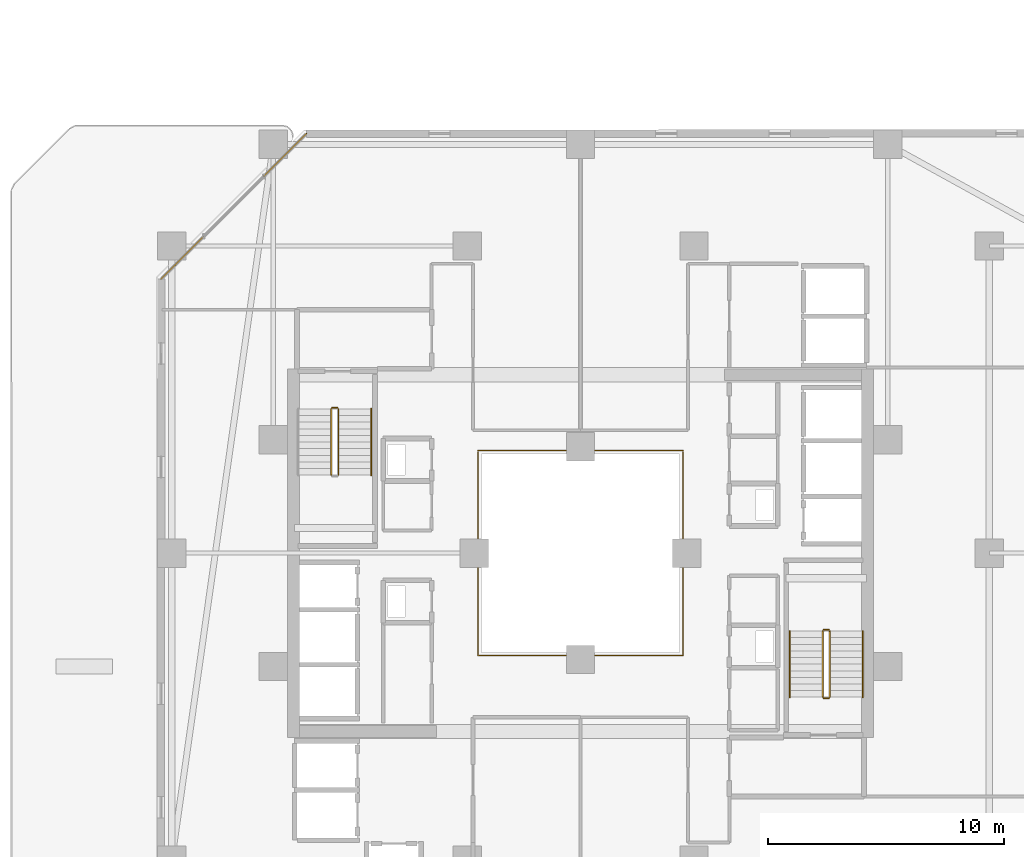
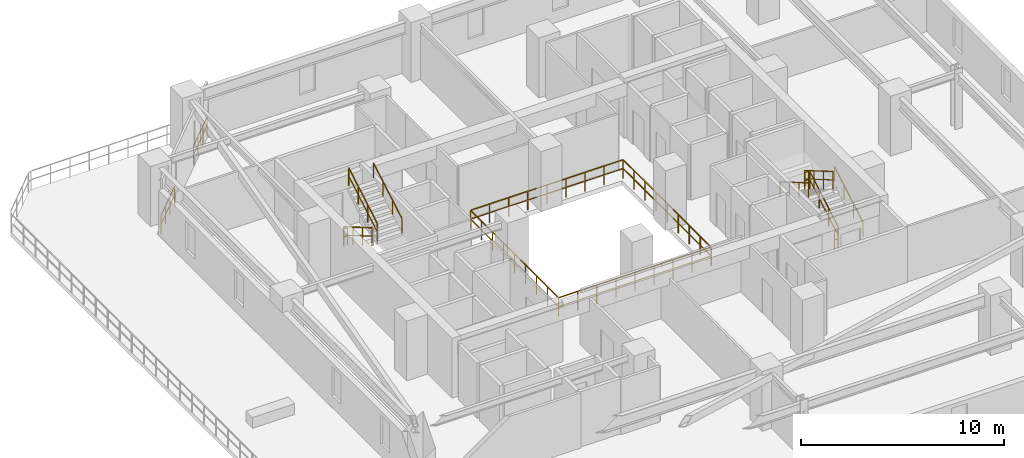
# One storey, part 31 of 31: 13 railings.
"""IFC4 building model written with IfcOpenShell, lengths in metres."""

from ifc_helpers import new_model, si_unit, direction, frame, origin, origin_2d, place, context, subcontext, project, spatial, rectangle, extrude, material, type_object, element, save


model = new_model("IFC4")

# Units and contexts
model_context = context("Model", 3, precision=1e-05, world=origin(), true_north=direction((0.0, 1.0)))
body_context = subcontext(model_context, "Body", "Model", "MODEL_VIEW")
ifc_project = project(units=[si_unit("LENGTHUNIT", "METRE"), si_unit("AREAUNIT", "SQUARE_METRE"), si_unit("VOLUMEUNIT", "CUBIC_METRE"), si_unit("PLANEANGLEUNIT", "RADIAN"), si_unit("MASSUNIT", "GRAM", prefix="KILO")], contexts=[model_context])

# Site, building, storey
site_placement = place(None, origin())
site = spatial("IfcSite", under=ifc_project, at=site_placement, CompositionType="ELEMENT")
building_placement = place(site_placement, origin())
building = spatial("IfcBuilding", under=site, at=building_placement, Name="Thornwick Lancets Civic Towers", CompositionType="ELEMENT")
storey_placement = place(building_placement, frame((0.0, 0.0, 119.699951171875)))
storey = spatial("IfcBuildingStorey", under=building, at=storey_placement, Name="L31", CompositionType="ELEMENT", Elevation=119.699951171875)

# Railings
ifc_material_1 = material(Name="Laminated glass and bronze steel S355", Category="steel")
railing_type_1 = type_object("IfcRailingType", Name="RAIL_ATRIUM_GUARD", PredefinedType="BALUSTRADE", material=ifc_material_1)
railing_1_placement = place(storey_placement, frame((84.159912109375, 22.659912109375, 0.0)))
element("IfcRailing", 1, at=railing_1_placement, inside=storey, type_object=railing_type_1, Name="L31 Tower B Central Atrium Guard Balustrade", PredefinedType="BALUSTRADE", context=body_context, shape_type="SweptSolid", body=[
    extrude(rectangle(XDim=0.048095703125, YDim=0.048095703125, at=origin_2d()), frame((0.0, 0.0, 1.1259765625), z_axis=(1.0, 0.0, 0.0), x_axis=(0.0, 1.0, 0.0)), (0.0, 0.0, 1.0), 8.64892578125),
    extrude(rectangle(XDim=0.0419921875, YDim=0.0419921875, at=origin_2d()), frame((0.03759765625, 0.0, 0.597900390625), z_axis=(1.0, 0.0, 0.0), x_axis=(0.0, 1.0, 0.0)), (0.0, 0.0, 1.0), 1.010009765625),
    extrude(rectangle(XDim=0.0419921875, YDim=0.0419921875, at=origin_2d()), frame((1.12255859375, 0.0, 0.597900390625), z_axis=(1.0, 0.0, 0.0), x_axis=(0.0, 1.0, 0.0)), (0.0, 0.0, 1.0), 1.010009765625),
    extrude(rectangle(XDim=0.0419921875, YDim=0.0419921875, at=origin_2d()), frame((2.20751953125, 0.0, 0.597900390625), z_axis=(1.0, 0.0, 0.0), x_axis=(0.0, 1.0, 0.0)), (0.0, 0.0, 1.0), 1.010009765625),
    extrude(rectangle(XDim=0.0419921875, YDim=0.0419921875, at=origin_2d()), frame((3.29248046875, 0.0, 0.597900390625), z_axis=(1.0, 0.0, 0.0), x_axis=(0.0, 1.0, 0.0)), (0.0, 0.0, 1.0), 1.010009765625),
    extrude(rectangle(XDim=0.0419921875, YDim=0.0419921875, at=origin_2d()), frame((4.377685546875, 0.0, 0.597900390625), z_axis=(1.0, 0.0, 0.0), x_axis=(0.0, 1.0, 0.0)), (0.0, 0.0, 1.0), 1.010009765625),
    extrude(rectangle(XDim=0.0419921875, YDim=0.0419921875, at=origin_2d()), frame((5.462646484375, 0.0, 0.597900390625), z_axis=(1.0, 0.0, 0.0), x_axis=(0.0, 1.0, 0.0)), (0.0, 0.0, 1.0), 1.010009765625),
    extrude(rectangle(XDim=0.0419921875, YDim=0.0419921875, at=origin_2d()), frame((6.547607421875, 0.0, 0.597900390625), z_axis=(1.0, 0.0, 0.0), x_axis=(0.0, 1.0, 0.0)), (0.0, 0.0, 1.0), 1.010009765625),
    extrude(rectangle(XDim=0.0419921875, YDim=0.0419921875, at=origin_2d()), frame((7.632568359375, 0.0, 0.597900390625), z_axis=(1.0, 0.0, 0.0), x_axis=(0.0, 1.0, 0.0)), (0.0, 0.0, 1.0), 1.010009765625),
    extrude(rectangle(XDim=0.048095703125, YDim=0.048095703125, at=origin_2d()), frame((8.68017578125, 0.03125, 1.1259765625), z_axis=(0.0, 1.0, 0.0), x_axis=(-1.0, 0.0, 0.0)), (0.0, 0.0, 1.0), 8.61767578125),
    extrude(rectangle(XDim=0.0419921875, YDim=0.0419921875, at=origin_2d()), frame((8.68017578125, 0.03759765625, 0.597900390625), z_axis=(0.0, 1.0, 0.0), x_axis=(-1.0, 0.0, 0.0)), (0.0, 0.0, 1.0), 1.010009765625),
    extrude(rectangle(XDim=0.0419921875, YDim=0.0419921875, at=origin_2d()), frame((8.68017578125, 1.12255859375, 0.597900390625), z_axis=(0.0, 1.0, 0.0), x_axis=(-1.0, 0.0, 0.0)), (0.0, 0.0, 1.0), 1.010009765625),
    extrude(rectangle(XDim=0.0419921875, YDim=0.0419921875, at=origin_2d()), frame((8.68017578125, 2.20751953125, 0.597900390625), z_axis=(0.0, 1.0, 0.0), x_axis=(-1.0, 0.0, 0.0)), (0.0, 0.0, 1.0), 1.010009765625),
    extrude(rectangle(XDim=0.0419921875, YDim=0.0419921875, at=origin_2d()), frame((8.68017578125, 3.29248046875, 0.597900390625), z_axis=(0.0, 1.0, 0.0), x_axis=(-1.0, 0.0, 0.0)), (0.0, 0.0, 1.0), 1.010009765625),
    extrude(rectangle(XDim=0.0419921875, YDim=0.0419921875, at=origin_2d()), frame((8.68017578125, 4.377685546875, 0.597900390625), z_axis=(0.0, 1.0, 0.0), x_axis=(-1.0, 0.0, 0.0)), (0.0, 0.0, 1.0), 1.010009765625),
    extrude(rectangle(XDim=0.0419921875, YDim=0.0419921875, at=origin_2d()), frame((8.68017578125, 5.462646484375, 0.597900390625), z_axis=(0.0, 1.0, 0.0), x_axis=(-1.0, 0.0, 0.0)), (0.0, 0.0, 1.0), 1.010009765625),
    extrude(rectangle(XDim=0.0419921875, YDim=0.0419921875, at=origin_2d()), frame((8.68017578125, 6.547607421875, 0.597900390625), z_axis=(0.0, 1.0, 0.0), x_axis=(-1.0, 0.0, 0.0)), (0.0, 0.0, 1.0), 1.010009765625),
    extrude(rectangle(XDim=0.0419921875, YDim=0.0419921875, at=origin_2d()), frame((8.68017578125, 7.632568359375, 0.597900390625), z_axis=(0.0, 1.0, 0.0), x_axis=(-1.0, 0.0, 0.0)), (0.0, 0.0, 1.0), 1.010009765625),
    extrude(rectangle(XDim=0.048095703125, YDim=0.048095703125, at=origin_2d()), frame((8.64892578125, 8.68017578125, 1.1259765625), z_axis=(-1.0, 0.0, 0.0), x_axis=(0.0, -1.0, 0.0)), (0.0, 0.0, 1.0), 8.61767578125),
    extrude(rectangle(XDim=0.0419921875, YDim=0.0419921875, at=origin_2d()), frame((8.642578125, 8.68017578125, 0.597900390625), z_axis=(-1.0, 0.0, 0.0), x_axis=(0.0, -1.0, 0.0)), (0.0, 0.0, 1.0), 1.010009765625),
    extrude(rectangle(XDim=0.0419921875, YDim=0.0419921875, at=origin_2d()), frame((7.5576171875, 8.68017578125, 0.597900390625), z_axis=(-1.0, 0.0, 0.0), x_axis=(0.0, -1.0, 0.0)), (0.0, 0.0, 1.0), 1.010009765625),
    extrude(rectangle(XDim=0.0419921875, YDim=0.0419921875, at=origin_2d()), frame((6.47265625, 8.68017578125, 0.597900390625), z_axis=(-1.0, 0.0, 0.0), x_axis=(0.0, -1.0, 0.0)), (0.0, 0.0, 1.0), 1.010009765625),
    extrude(rectangle(XDim=0.0419921875, YDim=0.0419921875, at=origin_2d()), frame((5.3876953125, 8.68017578125, 0.597900390625), z_axis=(-1.0, 0.0, 0.0), x_axis=(0.0, -1.0, 0.0)), (0.0, 0.0, 1.0), 1.010009765625),
    extrude(rectangle(XDim=0.0419921875, YDim=0.0419921875, at=origin_2d()), frame((4.302490234375, 8.68017578125, 0.597900390625), z_axis=(-1.0, 0.0, 0.0), x_axis=(0.0, -1.0, 0.0)), (0.0, 0.0, 1.0), 1.010009765625),
    extrude(rectangle(XDim=0.0419921875, YDim=0.0419921875, at=origin_2d()), frame((3.217529296875, 8.68017578125, 0.597900390625), z_axis=(-1.0, 0.0, 0.0), x_axis=(0.0, -1.0, 0.0)), (0.0, 0.0, 1.0), 1.010009765625),
    extrude(rectangle(XDim=0.0419921875, YDim=0.0419921875, at=origin_2d()), frame((2.132568359375, 8.68017578125, 0.597900390625), z_axis=(-1.0, 0.0, 0.0), x_axis=(0.0, -1.0, 0.0)), (0.0, 0.0, 1.0), 1.010009765625),
    extrude(rectangle(XDim=0.0419921875, YDim=0.0419921875, at=origin_2d()), frame((1.047607421875, 8.68017578125, 0.597900390625), z_axis=(-1.0, 0.0, 0.0), x_axis=(0.0, -1.0, 0.0)), (0.0, 0.0, 1.0), 1.010009765625),
    extrude(rectangle(XDim=0.048095703125, YDim=0.048095703125, at=origin_2d()), frame((0.0, 8.64892578125, 1.1259765625), z_axis=(0.0, -1.0, 0.0), x_axis=(1.0, 0.0, 0.0)), (0.0, 0.0, 1.0), 8.64892578125),
    extrude(rectangle(XDim=0.0419921875, YDim=0.0419921875, at=origin_2d()), frame((0.0, 8.642578125, 0.597900390625), z_axis=(0.0, -1.0, 0.0), x_axis=(1.0, 0.0, 0.0)), (0.0, 0.0, 1.0), 1.010009765625),
    extrude(rectangle(XDim=0.0419921875, YDim=0.0419921875, at=origin_2d()), frame((0.0, 7.5576171875, 0.597900390625), z_axis=(0.0, -1.0, 0.0), x_axis=(1.0, 0.0, 0.0)), (0.0, 0.0, 1.0), 1.010009765625),
    extrude(rectangle(XDim=0.0419921875, YDim=0.0419921875, at=origin_2d()), frame((0.0, 6.47265625, 0.597900390625), z_axis=(0.0, -1.0, 0.0), x_axis=(1.0, 0.0, 0.0)), (0.0, 0.0, 1.0), 1.010009765625),
    extrude(rectangle(XDim=0.0419921875, YDim=0.0419921875, at=origin_2d()), frame((0.0, 5.3876953125, 0.597900390625), z_axis=(0.0, -1.0, 0.0), x_axis=(1.0, 0.0, 0.0)), (0.0, 0.0, 1.0), 1.010009765625),
    extrude(rectangle(XDim=0.0419921875, YDim=0.0419921875, at=origin_2d()), frame((0.0, 4.302490234375, 0.597900390625), z_axis=(0.0, -1.0, 0.0), x_axis=(1.0, 0.0, 0.0)), (0.0, 0.0, 1.0), 1.010009765625),
    extrude(rectangle(XDim=0.0419921875, YDim=0.0419921875, at=origin_2d()), frame((0.0, 3.217529296875, 0.597900390625), z_axis=(0.0, -1.0, 0.0), x_axis=(1.0, 0.0, 0.0)), (0.0, 0.0, 1.0), 1.010009765625),
    extrude(rectangle(XDim=0.0419921875, YDim=0.0419921875, at=origin_2d()), frame((0.0, 2.132568359375, 0.597900390625), z_axis=(0.0, -1.0, 0.0), x_axis=(1.0, 0.0, 0.0)), (0.0, 0.0, 1.0), 1.010009765625),
    extrude(rectangle(XDim=0.0419921875, YDim=0.0419921875, at=origin_2d()), frame((0.0, 1.047607421875, 0.597900390625), z_axis=(0.0, -1.0, 0.0), x_axis=(1.0, 0.0, 0.0)), (0.0, 0.0, 1.0), 1.010009765625),
    extrude(rectangle(XDim=0.0419921875, YDim=0.0419921875, at=origin_2d()), origin(), (0.0, 0.0, 1.0), 1.095703125),
    extrude(rectangle(XDim=0.0419921875, YDim=0.0419921875, at=origin_2d()), frame((1.0849609375, 0.0, 0.0)), (0.0, 0.0, 1.0), 1.095703125),
    extrude(rectangle(XDim=0.0419921875, YDim=0.0419921875, at=origin_2d()), frame((2.169921875, 0.0, 0.0)), (0.0, 0.0, 1.0), 1.095703125),
    extrude(rectangle(XDim=0.0419921875, YDim=0.0419921875, at=origin_2d()), frame((3.255126953125, 0.0, 0.0)), (0.0, 0.0, 1.0), 1.095703125),
    extrude(rectangle(XDim=0.0419921875, YDim=0.0419921875, at=origin_2d()), frame((4.340087890625, 0.0, 0.0)), (0.0, 0.0, 1.0), 1.095703125),
    extrude(rectangle(XDim=0.0419921875, YDim=0.0419921875, at=origin_2d()), frame((5.425048828125, 0.0, 0.0)), (0.0, 0.0, 1.0), 1.095703125),
    extrude(rectangle(XDim=0.0419921875, YDim=0.0419921875, at=origin_2d()), frame((6.51025390625, 0.0, 0.0)), (0.0, 0.0, 1.0), 1.095703125),
    extrude(rectangle(XDim=0.0419921875, YDim=0.0419921875, at=origin_2d()), frame((7.59521484375, 0.0, 0.0)), (0.0, 0.0, 1.0), 1.095703125),
    extrude(rectangle(XDim=0.0419921875, YDim=0.0419921875, at=origin_2d()), frame((8.68017578125, 0.0, 0.0)), (0.0, 0.0, 1.0), 1.095703125),
    extrude(rectangle(XDim=0.0419921875, YDim=0.0419921875, at=origin_2d()), frame((8.68017578125, 1.0849609375, 0.0)), (0.0, 0.0, 1.0), 1.095703125),
    extrude(rectangle(XDim=0.0419921875, YDim=0.0419921875, at=origin_2d()), frame((8.68017578125, 2.169921875, 0.0)), (0.0, 0.0, 1.0), 1.095703125),
    extrude(rectangle(XDim=0.0419921875, YDim=0.0419921875, at=origin_2d()), frame((8.68017578125, 3.255126953125, 0.0)), (0.0, 0.0, 1.0), 1.095703125),
    extrude(rectangle(XDim=0.0419921875, YDim=0.0419921875, at=origin_2d()), frame((8.68017578125, 4.340087890625, 0.0)), (0.0, 0.0, 1.0), 1.095703125),
    extrude(rectangle(XDim=0.0419921875, YDim=0.0419921875, at=origin_2d()), frame((8.68017578125, 5.425048828125, 0.0)), (0.0, 0.0, 1.0), 1.095703125),
    extrude(rectangle(XDim=0.0419921875, YDim=0.0419921875, at=origin_2d()), frame((8.68017578125, 6.51025390625, 0.0)), (0.0, 0.0, 1.0), 1.095703125),
    extrude(rectangle(XDim=0.0419921875, YDim=0.0419921875, at=origin_2d()), frame((8.68017578125, 7.59521484375, 0.0)), (0.0, 0.0, 1.0), 1.095703125),
    extrude(rectangle(XDim=0.0419921875, YDim=0.0419921875, at=origin_2d()), frame((8.68017578125, 8.68017578125, 0.0)), (0.0, 0.0, 1.0), 1.095703125),
    extrude(rectangle(XDim=0.0419921875, YDim=0.0419921875, at=origin_2d()), frame((7.59521484375, 8.68017578125, 0.0)), (0.0, 0.0, 1.0), 1.095703125),
    extrude(rectangle(XDim=0.0419921875, YDim=0.0419921875, at=origin_2d()), frame((6.51025390625, 8.68017578125, 0.0)), (0.0, 0.0, 1.0), 1.095703125),
    extrude(rectangle(XDim=0.0419921875, YDim=0.0419921875, at=origin_2d()), frame((5.425048828125, 8.68017578125, 0.0)), (0.0, 0.0, 1.0), 1.095703125),
    extrude(rectangle(XDim=0.0419921875, YDim=0.0419921875, at=origin_2d()), frame((4.340087890625, 8.68017578125, 0.0)), (0.0, 0.0, 1.0), 1.095703125),
    extrude(rectangle(XDim=0.0419921875, YDim=0.0419921875, at=origin_2d()), frame((3.255126953125, 8.68017578125, 0.0)), (0.0, 0.0, 1.0), 1.095703125),
    extrude(rectangle(XDim=0.0419921875, YDim=0.0419921875, at=origin_2d()), frame((2.169921875, 8.68017578125, 0.0)), (0.0, 0.0, 1.0), 1.095703125),
    extrude(rectangle(XDim=0.0419921875, YDim=0.0419921875, at=origin_2d()), frame((1.0849609375, 8.68017578125, 0.0)), (0.0, 0.0, 1.0), 1.095703125),
    extrude(rectangle(XDim=0.0419921875, YDim=0.0419921875, at=origin_2d()), frame((0.0, 8.68017578125, 0.0)), (0.0, 0.0, 1.0), 1.095703125),
    extrude(rectangle(XDim=0.0419921875, YDim=0.0419921875, at=origin_2d()), frame((0.0, 7.59521484375, 0.0)), (0.0, 0.0, 1.0), 1.095703125),
    extrude(rectangle(XDim=0.0419921875, YDim=0.0419921875, at=origin_2d()), frame((0.0, 6.51025390625, 0.0)), (0.0, 0.0, 1.0), 1.095703125),
    extrude(rectangle(XDim=0.0419921875, YDim=0.0419921875, at=origin_2d()), frame((0.0, 5.425048828125, 0.0)), (0.0, 0.0, 1.0), 1.095703125),
    extrude(rectangle(XDim=0.0419921875, YDim=0.0419921875, at=origin_2d()), frame((0.0, 4.340087890625, 0.0)), (0.0, 0.0, 1.0), 1.095703125),
    extrude(rectangle(XDim=0.0419921875, YDim=0.0419921875, at=origin_2d()), frame((0.0, 3.255126953125, 0.0)), (0.0, 0.0, 1.0), 1.095703125),
    extrude(rectangle(XDim=0.0419921875, YDim=0.0419921875, at=origin_2d()), frame((0.0, 2.169921875, 0.0)), (0.0, 0.0, 1.0), 1.095703125),
    extrude(rectangle(XDim=0.0419921875, YDim=0.0419921875, at=origin_2d()), frame((0.0, 1.0849609375, 0.0)), (0.0, 0.0, 1.0), 1.095703125),
])
ifc_material_2 = material(Name="Brushed stainless steel S355", Category="steel")
railing_type_2 = type_object("IfcRailingType", Name="RAIL_HANDRAIL", PredefinedType="HANDRAIL", material=ifc_material_2)
railing_2_placement = place(storey_placement, frame((100.449951171875, 20.89990234375, 0.16357421875)))
element("IfcRailing", 2, at=railing_2_placement, inside=storey, type_object=railing_type_2, Name="L31 ST-B1 stair handrail 1", PredefinedType="HANDRAIL", context=body_context, shape_type="SweptSolid", body=[
    extrude(rectangle(XDim=0.048095703125, YDim=0.048095703125, at=origin_2d()), frame((0.0, 0.0, 0.8857421875), z_axis=(0.0, 0.863360870873, 0.504586966384), x_axis=(-1.0, 0.0, 0.0)), (0.0, 0.0, 1.0), 3.2431640625),
    extrude(rectangle(XDim=0.0419921875, YDim=0.0419921875, at=origin_2d()), origin(), (0.0, 0.0, 1.0), 0.855712890625),
    extrude(rectangle(XDim=0.0419921875, YDim=0.0419921875, at=origin_2d()), frame((0.0, 0.933349609375, 0.54541015625)), (0.0, 0.0, 1.0), 0.855712890625),
    extrude(rectangle(XDim=0.0419921875, YDim=0.0419921875, at=origin_2d()), frame((0.0, 1.86669921875, 1.091064453125)), (0.0, 0.0, 1.0), 0.855712890625),
    extrude(rectangle(XDim=0.0419921875, YDim=0.0419921875, at=origin_2d()), frame((0.0, 2.800048828125, 1.636474609375)), (0.0, 0.0, 1.0), 0.855712890625),
])
railing_3_placement = place(storey_placement, frame((97.35009765625, 23.699951171875, 1.963623046875)))
element("IfcRailing", 3, at=railing_3_placement, inside=storey, type_object=railing_type_2, Name="L31 ST-B1 stair handrail 2", PredefinedType="HANDRAIL", context=body_context, shape_type="SweptSolid", body=[
    extrude(rectangle(XDim=0.048095703125, YDim=0.048095703125, at=origin_2d()), frame((0.0, 0.0, 0.8857421875), z_axis=(0.0, -0.863360870873, 0.504586966384), x_axis=(1.0, 0.0, 0.0)), (0.0, 0.0, 1.0), 3.2431640625),
    extrude(rectangle(XDim=0.0419921875, YDim=0.0419921875, at=origin_2d()), origin(), (0.0, 0.0, 1.0), 0.855712890625),
    extrude(rectangle(XDim=0.0419921875, YDim=0.0419921875, at=origin_2d()), frame((0.0, -0.933349609375, 0.54541015625)), (0.0, 0.0, 1.0), 0.855712890625),
    extrude(rectangle(XDim=0.0419921875, YDim=0.0419921875, at=origin_2d()), frame((0.0, -1.86669921875, 1.091064453125)), (0.0, 0.0, 1.0), 0.855712890625),
    extrude(rectangle(XDim=0.0419921875, YDim=0.0419921875, at=origin_2d()), frame((0.0, -2.800048828125, 1.636474609375)), (0.0, 0.0, 1.0), 0.855712890625),
])
railing_4_placement = place(storey_placement, frame((79.64990234375, 30.300048828125, 1.963623046875)))
element("IfcRailing", 4, at=railing_4_placement, inside=storey, type_object=railing_type_2, Name="L31 ST-B2 stair handrail 2", PredefinedType="HANDRAIL", context=body_context, shape_type="SweptSolid", body=[
    extrude(rectangle(XDim=0.048095703125, YDim=0.048095703125, at=origin_2d()), frame((0.0, 0.0, 0.8857421875), z_axis=(0.0, 0.863360870873, 0.504586966384), x_axis=(-1.0, 0.0, 0.0)), (0.0, 0.0, 1.0), 3.2431640625),
    extrude(rectangle(XDim=0.0419921875, YDim=0.0419921875, at=origin_2d()), origin(), (0.0, 0.0, 1.0), 0.855712890625),
    extrude(rectangle(XDim=0.0419921875, YDim=0.0419921875, at=origin_2d()), frame((0.0, 0.933349609375, 0.54541015625)), (0.0, 0.0, 1.0), 0.855712890625),
    extrude(rectangle(XDim=0.0419921875, YDim=0.0419921875, at=origin_2d()), frame((0.0, 1.86669921875, 1.091064453125)), (0.0, 0.0, 1.0), 0.855712890625),
    extrude(rectangle(XDim=0.0419921875, YDim=0.0419921875, at=origin_2d()), frame((0.0, 2.800048828125, 1.636474609375)), (0.0, 0.0, 1.0), 0.855712890625),
])
ifc_material_3 = material(Name="Steel S355JR", Category="steel")
railing_type_3 = type_object("IfcRailingType", Name="RAIL_STAIR_GUARD", PredefinedType="GUARDRAIL", material=ifc_material_3)
railing_5_placement = place(storey_placement, frame((99.050048828125, 20.89990234375, 0.16357421875)))
element("IfcRailing", 5, at=railing_5_placement, inside=storey, type_object=railing_type_3, Name="L31 ST-B1 stair guard 1", PredefinedType="GUARDRAIL", context=body_context, shape_type="SweptSolid", body=[
    extrude(rectangle(XDim=0.048095703125, YDim=0.048095703125, at=origin_2d()), frame((0.0, 0.0, 1.076171875), z_axis=(0.0, 0.863360870873, 0.504586966384), x_axis=(-1.0, 0.0, 0.0)), (0.0, 0.0, 1.0), 3.2431640625),
    extrude(rectangle(XDim=0.0419921875, YDim=0.0419921875, at=origin_2d()), frame((0.0, 0.032470703125, 0.591064453125), z_axis=(0.0, 0.863360870873, 0.504586966384), x_axis=(-1.0, 0.0, 0.0)), (0.0, 0.0, 1.0), 1.006103515625),
    extrude(rectangle(XDim=0.0419921875, YDim=0.0419921875, at=origin_2d()), frame((0.0, 0.9658203125, 1.136474609375), z_axis=(0.0, 0.863360870873, 0.504586966384), x_axis=(-1.0, 0.0, 0.0)), (0.0, 0.0, 1.0), 1.006103515625),
    extrude(rectangle(XDim=0.0419921875, YDim=0.0419921875, at=origin_2d()), frame((0.0, 1.899169921875, 1.681884765625), z_axis=(0.0, 0.863360870873, 0.504586966384), x_axis=(-1.0, 0.0, 0.0)), (0.0, 0.0, 1.0), 1.006103515625),
    extrude(rectangle(XDim=0.0419921875, YDim=0.0419921875, at=origin_2d()), origin(), (0.0, 0.0, 1.0), 1.0458984375),
    extrude(rectangle(XDim=0.0419921875, YDim=0.0419921875, at=origin_2d()), frame((0.0, 0.933349609375, 0.54541015625)), (0.0, 0.0, 1.0), 1.0458984375),
    extrude(rectangle(XDim=0.0419921875, YDim=0.0419921875, at=origin_2d()), frame((0.0, 1.86669921875, 1.091064453125)), (0.0, 0.0, 1.0), 1.0458984375),
    extrude(rectangle(XDim=0.0419921875, YDim=0.0419921875, at=origin_2d()), frame((0.0, 2.800048828125, 1.636474609375)), (0.0, 0.0, 1.0), 1.0458984375),
])
railing_6_placement = place(storey_placement, frame((99.0, 23.75, 1.800048828125)))
element("IfcRailing", 6, at=railing_6_placement, inside=storey, type_object=railing_type_3, Name="L31 ST-B1 stair guard 2", PredefinedType="GUARDRAIL", context=body_context, shape_type="SweptSolid", body=[
    extrude(rectangle(XDim=0.048095703125, YDim=0.048095703125, at=origin_2d()), frame((0.0, 0.0, 1.076171875), z_axis=(-1.0, 0.0, 0.0), x_axis=(0.0, -1.0, 0.0)), (0.0, 0.0, 1.0), 0.199951171875),
    extrude(rectangle(XDim=0.0419921875, YDim=0.0419921875, at=origin_2d()), frame((-0.03759765625, 0.0, 0.572021484375), z_axis=(-1.0, 0.0, 0.0), x_axis=(0.0, -1.0, 0.0)), (0.0, 0.0, 1.0), 0.125),
    extrude(rectangle(XDim=0.0419921875, YDim=0.0419921875, at=origin_2d()), origin(), (0.0, 0.0, 1.0), 1.0458984375),
    extrude(rectangle(XDim=0.0419921875, YDim=0.0419921875, at=origin_2d()), frame((-0.199951171875, 0.0, 0.0)), (0.0, 0.0, 1.0), 1.0458984375),
])
railing_7_placement = place(storey_placement, frame((98.75, 23.699951171875, 1.963623046875)))
element("IfcRailing", 7, at=railing_7_placement, inside=storey, type_object=railing_type_3, Name="L31 ST-B1 stair guard 3", PredefinedType="GUARDRAIL", context=body_context, shape_type="SweptSolid", body=[
    extrude(rectangle(XDim=0.048095703125, YDim=0.048095703125, at=origin_2d()), frame((0.0, 0.0, 1.076171875), z_axis=(0.0, -0.863360870873, 0.504586966384), x_axis=(1.0, 0.0, 0.0)), (0.0, 0.0, 1.0), 3.2431640625),
    extrude(rectangle(XDim=0.0419921875, YDim=0.0419921875, at=origin_2d()), frame((0.0, -0.032470703125, 0.591064453125), z_axis=(0.0, -0.863360870873, 0.504586966384), x_axis=(1.0, 0.0, 0.0)), (0.0, 0.0, 1.0), 1.006103515625),
    extrude(rectangle(XDim=0.0419921875, YDim=0.0419921875, at=origin_2d()), frame((0.0, -0.9658203125, 1.136474609375), z_axis=(0.0, -0.863360870873, 0.504586966384), x_axis=(1.0, 0.0, 0.0)), (0.0, 0.0, 1.0), 1.006103515625),
    extrude(rectangle(XDim=0.0419921875, YDim=0.0419921875, at=origin_2d()), frame((0.0, -1.899169921875, 1.681884765625), z_axis=(0.0, -0.863360870873, 0.504586966384), x_axis=(1.0, 0.0, 0.0)), (0.0, 0.0, 1.0), 1.006103515625),
    extrude(rectangle(XDim=0.0419921875, YDim=0.0419921875, at=origin_2d()), origin(), (0.0, 0.0, 1.0), 1.0458984375),
    extrude(rectangle(XDim=0.0419921875, YDim=0.0419921875, at=origin_2d()), frame((0.0, -0.933349609375, 0.54541015625)), (0.0, 0.0, 1.0), 1.0458984375),
    extrude(rectangle(XDim=0.0419921875, YDim=0.0419921875, at=origin_2d()), frame((0.0, -1.86669921875, 1.091064453125)), (0.0, 0.0, 1.0), 1.0458984375),
    extrude(rectangle(XDim=0.0419921875, YDim=0.0419921875, at=origin_2d()), frame((0.0, -2.800048828125, 1.636474609375)), (0.0, 0.0, 1.0), 1.0458984375),
])
railing_8_placement = place(storey_placement, frame((99.0, 20.85009765625, 0.0)))
element("IfcRailing", 8, at=railing_8_placement, inside=storey, type_object=railing_type_3, Name="L31 ST-B1 stair guard 4", PredefinedType="GUARDRAIL", context=body_context, shape_type="SweptSolid", body=[
    extrude(rectangle(XDim=0.048095703125, YDim=0.048095703125, at=origin_2d()), frame((0.0, 0.0, 1.076171875), z_axis=(-1.0, 0.0, 0.0), x_axis=(0.0, -1.0, 0.0)), (0.0, 0.0, 1.0), 0.199951171875),
    extrude(rectangle(XDim=0.0419921875, YDim=0.0419921875, at=origin_2d()), frame((-0.03759765625, 0.0, 0.572021484375), z_axis=(-1.0, 0.0, 0.0), x_axis=(0.0, -1.0, 0.0)), (0.0, 0.0, 1.0), 0.125),
    extrude(rectangle(XDim=0.0419921875, YDim=0.0419921875, at=origin_2d()), origin(), (0.0, 0.0, 1.0), 1.0458984375),
    extrude(rectangle(XDim=0.0419921875, YDim=0.0419921875, at=origin_2d()), frame((-0.199951171875, 0.0, 0.0)), (0.0, 0.0, 1.0), 1.0458984375),
])
railing_9_placement = place(storey_placement, frame((77.949951171875, 33.10009765625, 0.16357421875)))
element("IfcRailing", 9, at=railing_9_placement, inside=storey, type_object=railing_type_3, Name="L31 ST-B2 stair guard 1", PredefinedType="GUARDRAIL", context=body_context, shape_type="SweptSolid", body=[
    extrude(rectangle(XDim=0.048095703125, YDim=0.048095703125, at=origin_2d()), frame((0.0, 0.0, 1.076171875), z_axis=(0.0, -0.863360870873, 0.504586966384), x_axis=(1.0, 0.0, 0.0)), (0.0, 0.0, 1.0), 3.2431640625),
    extrude(rectangle(XDim=0.0419921875, YDim=0.0419921875, at=origin_2d()), frame((0.0, -0.032470703125, 0.591064453125), z_axis=(0.0, -0.863360870873, 0.504586966384), x_axis=(1.0, 0.0, 0.0)), (0.0, 0.0, 1.0), 1.006103515625),
    extrude(rectangle(XDim=0.0419921875, YDim=0.0419921875, at=origin_2d()), frame((0.0, -0.9658203125, 1.136474609375), z_axis=(0.0, -0.863360870873, 0.504586966384), x_axis=(1.0, 0.0, 0.0)), (0.0, 0.0, 1.0), 1.006103515625),
    extrude(rectangle(XDim=0.0419921875, YDim=0.0419921875, at=origin_2d()), frame((0.0, -1.899169921875, 1.681884765625), z_axis=(0.0, -0.863360870873, 0.504586966384), x_axis=(1.0, 0.0, 0.0)), (0.0, 0.0, 1.0), 1.006103515625),
    extrude(rectangle(XDim=0.0419921875, YDim=0.0419921875, at=origin_2d()), origin(), (0.0, 0.0, 1.0), 1.0458984375),
    extrude(rectangle(XDim=0.0419921875, YDim=0.0419921875, at=origin_2d()), frame((0.0, -0.933349609375, 0.54541015625)), (0.0, 0.0, 1.0), 1.0458984375),
    extrude(rectangle(XDim=0.0419921875, YDim=0.0419921875, at=origin_2d()), frame((0.0, -1.86669921875, 1.091064453125)), (0.0, 0.0, 1.0), 1.0458984375),
    extrude(rectangle(XDim=0.0419921875, YDim=0.0419921875, at=origin_2d()), frame((0.0, -2.800048828125, 1.636474609375)), (0.0, 0.0, 1.0), 1.0458984375),
])
railing_10_placement = place(storey_placement, frame((78.25, 30.300048828125, 1.963623046875)))
element("IfcRailing", 10, at=railing_10_placement, inside=storey, type_object=railing_type_3, Name="L31 ST-B2 stair guard 3", PredefinedType="GUARDRAIL", context=body_context, shape_type="SweptSolid", body=[
    extrude(rectangle(XDim=0.048095703125, YDim=0.048095703125, at=origin_2d()), frame((0.0, 0.0, 1.076171875), z_axis=(0.0, 0.863360870873, 0.504586966384), x_axis=(-1.0, 0.0, 0.0)), (0.0, 0.0, 1.0), 3.2431640625),
    extrude(rectangle(XDim=0.0419921875, YDim=0.0419921875, at=origin_2d()), frame((0.0, 0.032470703125, 0.591064453125), z_axis=(0.0, 0.863360870873, 0.504586966384), x_axis=(-1.0, 0.0, 0.0)), (0.0, 0.0, 1.0), 1.006103515625),
    extrude(rectangle(XDim=0.0419921875, YDim=0.0419921875, at=origin_2d()), frame((0.0, 0.9658203125, 1.136474609375), z_axis=(0.0, 0.863360870873, 0.504586966384), x_axis=(-1.0, 0.0, 0.0)), (0.0, 0.0, 1.0), 1.006103515625),
    extrude(rectangle(XDim=0.0419921875, YDim=0.0419921875, at=origin_2d()), frame((0.0, 1.899169921875, 1.681884765625), z_axis=(0.0, 0.863360870873, 0.504586966384), x_axis=(-1.0, 0.0, 0.0)), (0.0, 0.0, 1.0), 1.006103515625),
    extrude(rectangle(XDim=0.0419921875, YDim=0.0419921875, at=origin_2d()), origin(), (0.0, 0.0, 1.0), 1.0458984375),
    extrude(rectangle(XDim=0.0419921875, YDim=0.0419921875, at=origin_2d()), frame((0.0, 0.933349609375, 0.54541015625)), (0.0, 0.0, 1.0), 1.0458984375),
    extrude(rectangle(XDim=0.0419921875, YDim=0.0419921875, at=origin_2d()), frame((0.0, 1.86669921875, 1.091064453125)), (0.0, 0.0, 1.0), 1.0458984375),
    extrude(rectangle(XDim=0.0419921875, YDim=0.0419921875, at=origin_2d()), frame((0.0, 2.800048828125, 1.636474609375)), (0.0, 0.0, 1.0), 1.0458984375),
])
railing_11_placement = place(storey_placement, frame((78.0, 33.14990234375, 0.0)))
element("IfcRailing", 11, at=railing_11_placement, inside=storey, type_object=railing_type_3, Name="L31 ST-B2 stair guard 4", PredefinedType="GUARDRAIL", context=body_context, shape_type="SweptSolid", body=[
    extrude(rectangle(XDim=0.048095703125, YDim=0.048095703125, at=origin_2d()), frame((0.0, 0.0, 1.076171875), z_axis=(1.0, 0.0, 0.0), x_axis=(0.0, 1.0, 0.0)), (0.0, 0.0, 1.0), 0.199951171875),
    extrude(rectangle(XDim=0.0419921875, YDim=0.0419921875, at=origin_2d()), frame((0.03759765625, 0.0, 0.572021484375), z_axis=(1.0, 0.0, 0.0), x_axis=(0.0, 1.0, 0.0)), (0.0, 0.0, 1.0), 0.125),
    extrude(rectangle(XDim=0.0419921875, YDim=0.0419921875, at=origin_2d()), origin(), (0.0, 0.0, 1.0), 1.0458984375),
    extrude(rectangle(XDim=0.0419921875, YDim=0.0419921875, at=origin_2d()), frame((0.199951171875, 0.0, 0.0)), (0.0, 0.0, 1.0), 1.0458984375),
])
ifc_material_4 = material(Name="Terracotta-capped laminated glass balustrade S355", Category="masonry")
railing_type_4 = type_object("IfcRailingType", Name="RAIL_TERR_GUARD", PredefinedType="GUARDRAIL", material=ifc_material_4)
for number, where, name in (
    (12, (76.903564453125, 44.752685546875, 0.0), "L31 Tower B Chamfer Spandrel Guard E5-1"),
    (13, (72.559326171875, 40.408447265625, 0.0), "L31 Tower B Chamfer Spandrel Guard E5-2"),
):
    element("IfcRailing", number, at=place(storey_placement, frame(where)), inside=storey, type_object=railing_type_4, Name=name, PredefinedType="GUARDRAIL", context=body_context, shape_type="SweptSolid", body=[
        extrude(rectangle(XDim=0.048095703125, YDim=0.048095703125, at=origin_2d()), frame((0.0, 0.0, 1.1259765625), z_axis=(-0.707106781187, -0.707106781187, 0.0), x_axis=(0.707106781187, -0.707106781187, 0.0)), (0.0, 0.0, 1.0), 2.5625),
        extrude(rectangle(XDim=0.0419921875, YDim=0.0419921875, at=origin_2d()), frame((-0.026611328125, -0.026611328125, 0.597900390625), z_axis=(-0.707106781187, -0.707106781187, 0.0), x_axis=(0.707106781187, -0.707106781187, 0.0)), (0.0, 0.0, 1.0), 0.779296875),
        extrude(rectangle(XDim=0.0419921875, YDim=0.0419921875, at=origin_2d()), frame((-0.630615234375, -0.630615234375, 0.597900390625), z_axis=(-0.707106781187, -0.707106781187, 0.0), x_axis=(0.707106781187, -0.707106781187, 0.0)), (0.0, 0.0, 1.0), 0.779296875),
        extrude(rectangle(XDim=0.0419921875, YDim=0.0419921875, at=origin_2d()), frame((-1.234619140625, -1.234619140625, 0.597900390625), z_axis=(-0.707106781187, -0.707106781187, 0.0), x_axis=(0.707106781187, -0.707106781187, 0.0)), (0.0, 0.0, 1.0), 0.779296875),
        extrude(rectangle(XDim=0.0419921875, YDim=0.0419921875, at=origin_2d()), origin(), (0.0, 0.0, 1.0), 1.095703125),
        extrude(rectangle(XDim=0.0419921875, YDim=0.0419921875, at=origin_2d()), frame((-0.60400390625, -0.60400390625, 0.0)), (0.0, 0.0, 1.0), 1.095703125),
        extrude(rectangle(XDim=0.0419921875, YDim=0.0419921875, at=origin_2d()), frame((-1.2080078125, -1.2080078125, 0.0)), (0.0, 0.0, 1.0), 1.095703125),
        extrude(rectangle(XDim=0.0419921875, YDim=0.0419921875, at=origin_2d()), frame((-1.81201171875, -1.81201171875, 0.0)), (0.0, 0.0, 1.0), 1.095703125),
    ])

save(model, "model.ifc")
